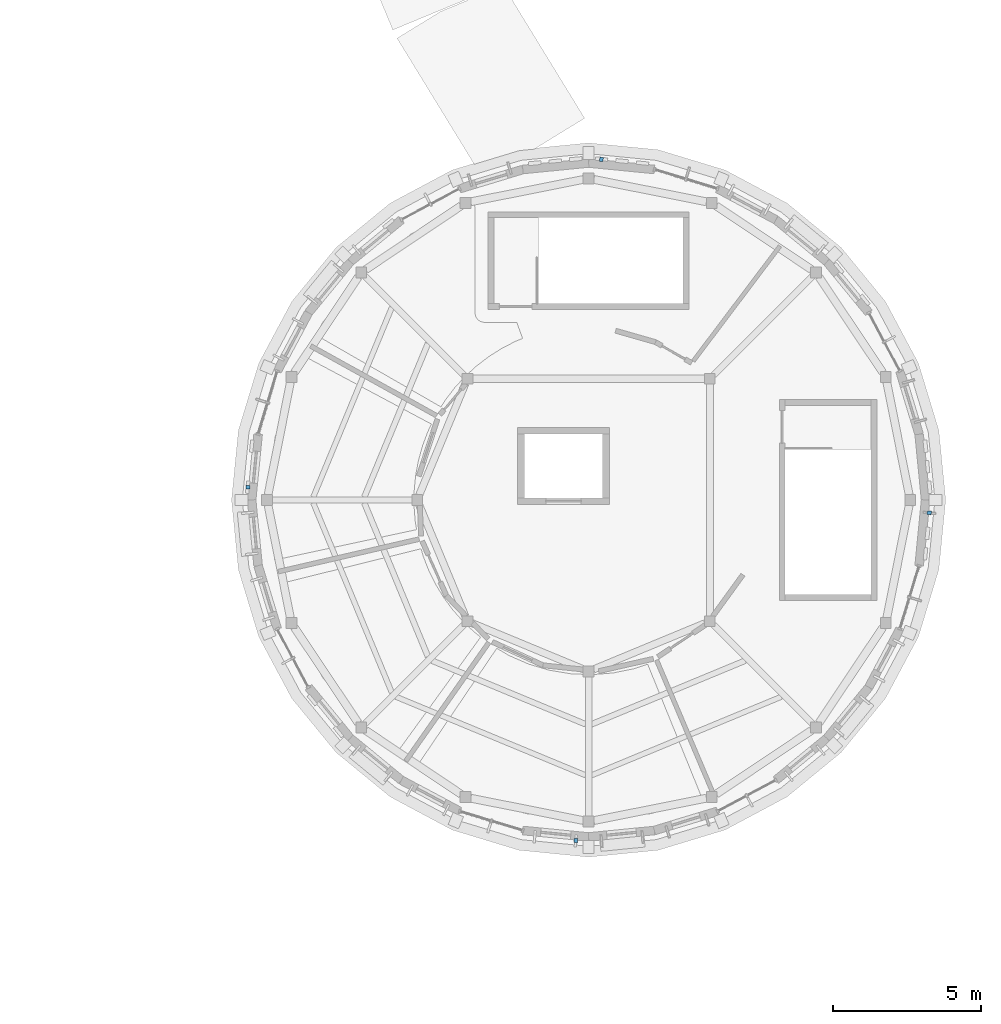
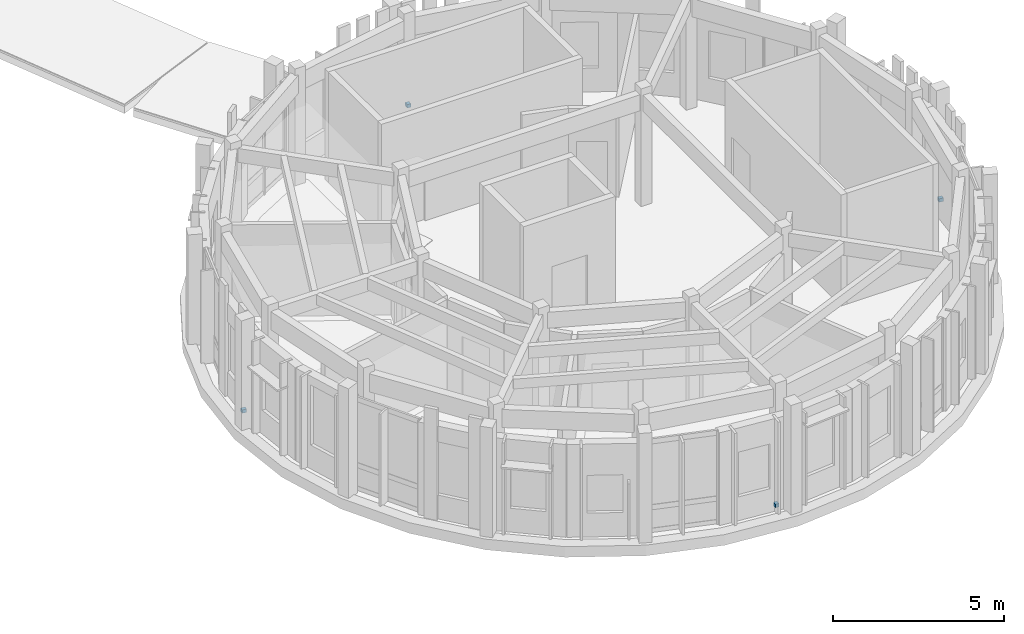
# One storey, part 48 of 58: 4 discrete accessories.
"""IFC4 building model written with IfcOpenShell, lengths in metres."""

from ifc_helpers import new_model, si_unit, direction, frame, origin, origin_2d, place, context, subcontext, project, spatial, rectangle, extrude, material, type_object, element, save


model = new_model("IFC4")

# Units and contexts
model_context = context("Model", 3, precision=1e-05, world=origin(), true_north=direction((0.0, 1.0)))
body_context = subcontext(model_context, "Body", "Model", "MODEL_VIEW")
ifc_project = project(units=[si_unit("LENGTHUNIT", "METRE"), si_unit("AREAUNIT", "SQUARE_METRE"), si_unit("VOLUMEUNIT", "CUBIC_METRE"), si_unit("PLANEANGLEUNIT", "RADIAN"), si_unit("MASSUNIT", "GRAM", prefix="KILO")], contexts=[model_context])

# Site, building, storey
site_placement = place(None, origin())
site = spatial("IfcSite", under=ifc_project, at=site_placement, CompositionType="ELEMENT")
building_placement = place(site_placement, origin())
building = spatial("IfcBuilding", under=site, at=building_placement, Name="Aldenvaro Health Centre", CompositionType="ELEMENT")
storey_placement = place(building_placement, frame((0.0, 0.0, 8.75)))
storey = spatial("IfcBuildingStorey", under=building, at=storey_placement, Name="L02", CompositionType="ELEMENT", Elevation=8.75)

# Discrete accessories
ifc_material = material(Name="Stainless Steel AISI 316", Category="steel")
discrete_accessory_type = type_object("IfcDiscreteAccessoryType", Name="ACC-BRK-01", PredefinedType="BRACKET", material=ifc_material)
for number, where, z_axis, x_axis, name in (
    (1, (166.02294921875, 18.06591796875, 0.18994140625), (0.0, 0.0, 1.0), (-0.097997250052, -0.995186685493, 0.0), "D6 L02 stainless fin bracket 1"),
    (2, (154.06591796875, 6.97705078125, 0.18994140625), (0.0, 0.0, 1.0), (-0.995186685493, 0.097997250052, 0.0), "D6 L02 stainless fin bracket 9"),
    (3, (142.97705078125, 18.93408203125, 0.18994140625), (0.0, 0.0, 1.0), (0.097997250052, 0.995186685493, 0.0), "D6 L02 stainless fin bracket 17"),
    (4, (154.93408203125, 30.02294921875, 0.18994140625), (0.0, 0.0, 1.0), (0.995186685493, -0.097997250052, 0.0), "D6 L02 stainless fin bracket 25"),
):
    element("IfcDiscreteAccessory", number, at=place(storey_placement, frame(where, z_axis=z_axis, x_axis=x_axis)), inside=storey, type_object=discrete_accessory_type, Name=name, PredefinedType="BRACKET", context=body_context, shape_type="SweptSolid", body=[
        extrude(rectangle(XDim=0.1201171875, YDim=0.139892578125, at=origin_2d()), origin(), (0.0, 0.0, 1.0), 0.1201171875),
    ])

save(model, "model.ifc")
